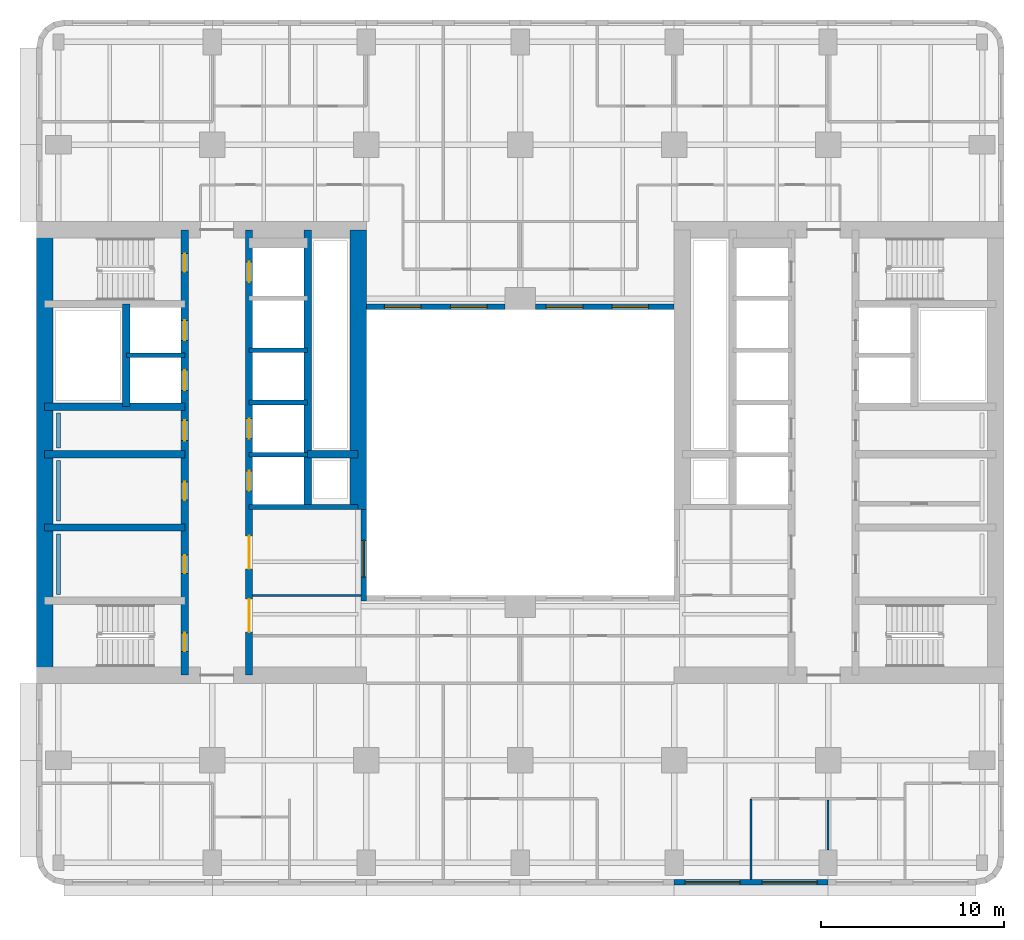
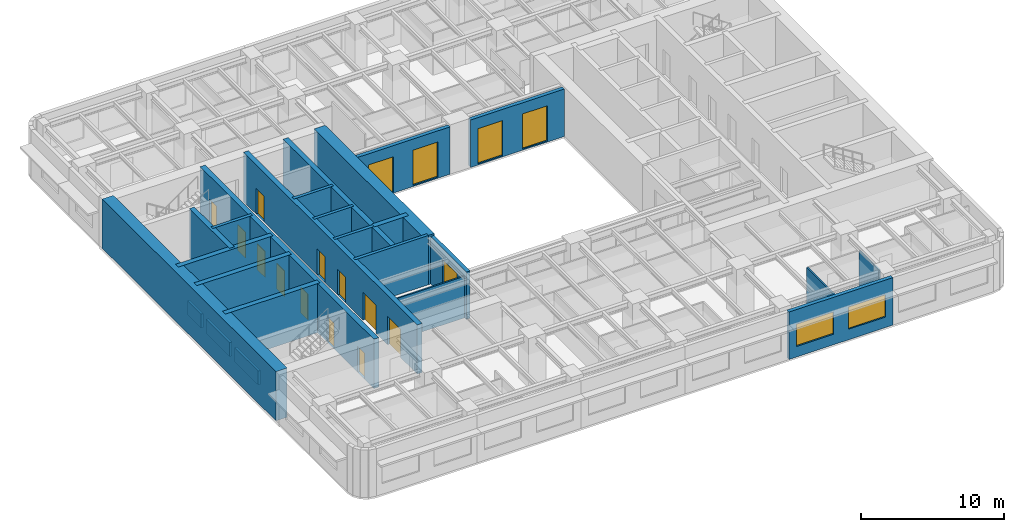
# One storey, part 4 of 11: 25 walls, 12 doors, 7 windows, 19 openings.
"""IFC4 building model written with IfcOpenShell, lengths in metres."""

from ifc_helpers import new_model, si_unit, direction, frame, frame_2d, origin, place, context, subcontext, project, spatial, rectangle, extrude, material, layer, layer_set, type_object, element, fill, save


model = new_model("IFC4")

# Units and contexts
model_context = context("Model", 3, precision=1e-05, world=origin(), true_north=direction((0.0, 1.0)))
body_context = subcontext(model_context, "Body", "Model", "MODEL_VIEW")
ifc_project = project(units=[si_unit("LENGTHUNIT", "METRE"), si_unit("AREAUNIT", "SQUARE_METRE"), si_unit("VOLUMEUNIT", "CUBIC_METRE"), si_unit("PLANEANGLEUNIT", "RADIAN"), si_unit("MASSUNIT", "GRAM", prefix="KILO")], contexts=[model_context])

# Site, building, storey
site_placement = place(None, origin())
site = spatial("IfcSite", under=ifc_project, at=site_placement, CompositionType="ELEMENT")
building_placement = place(site_placement, origin())
building = spatial("IfcBuilding", under=site, at=building_placement, Name="Claustro Exchange Tower", CompositionType="ELEMENT")
storey_placement = place(building_placement, frame((0.0, 0.0, 151.199951171875)))
storey = spatial("IfcBuildingStorey", under=building, at=storey_placement, Name="L34", CompositionType="ELEMENT", Elevation=151.199951171875)

# Walls
ifc_material_1 = material(Name="Laminated glass in aluminium frame", Category="aluminium")
ifc_layer_1 = layer(ifc_material_1, 0.1201171875)
ifc_layer_set_1 = layer_set([ifc_layer_1], Name="Laminated glass in aluminium frame")
wall_type_1 = type_object("IfcWallType", Name="P2 120 glazed partition", PredefinedType="PARTITIONING", material=ifc_layer_set_1)
wall_1_placement = place(storey_placement, frame((10.597900390625, 17.39990234375, 0.0), z_axis=(0.0, 0.0, 1.0), x_axis=(1.0, 0.0, 0.0)))
element("IfcWall", 1, at=wall_1_placement, inside=storey, type_object=wall_type_1, Name="Partition P2 L34", PredefinedType="PARTITIONING", context=body_context, shape_type="SweptSolid", body=[
    extrude(rectangle(XDim=5.904052734375, YDim=0.1201171875, at=frame_2d((2.9521484375, 0.0))), origin(), (0.0, 0.0, 1.0), 3.550048828125),
])
wall_2_placement = place(storey_placement, frame((37.800048828125, 1.89794921875, 0.0), z_axis=(0.0, 0.0, 1.0), x_axis=(0.0, 1.0, 0.0)))
element("IfcWall", 2, at=wall_2_placement, inside=storey, type_object=wall_type_1, Name="Partition P2 L34", PredefinedType="PARTITIONING", context=body_context, shape_type="SweptSolid", body=[
    extrude(rectangle(XDim=4.402099609375, YDim=0.1201171875, at=frame_2d((2.201171875, 0.0))), origin(), (0.0, 0.0, 1.0), 3.56005859375),
])
wall_3_placement = place(storey_placement, frame((42.0, 3.4990234375, 0.0), z_axis=(0.0, 0.0, 1.0), x_axis=(0.0, 1.0, 0.0)))
element("IfcWall", 3, at=wall_3_placement, inside=storey, type_object=wall_type_1, Name="Partition P2 L34", PredefinedType="PARTITIONING", context=body_context, shape_type="SweptSolid", body=[
    extrude(rectangle(XDim=2.742919921875, YDim=0.1201171875, at=frame_2d((1.37158203125, 0.0))), origin(), (0.0, 0.0, 1.0), 3.550048828125),
])

# Wall, openings, windows
ifc_material_2 = material(Name="Concrete HA-40 (C40/50), precast, white cement, acid-etched", Category="concrete")
ifc_layer_2 = layer(ifc_material_2, 0.300048828125)
ifc_layer_set_2 = layer_set([ifc_layer_2], Name="Concrete HA-40 (C40/50), precast, white cement, acid-etched")
wall_type_2 = type_object("IfcWallType", Name="PC1 300 precast concrete pier panel", PredefinedType="SOLIDWALL", material=ifc_layer_set_2)
wall_4_placement = place(storey_placement, frame((42.0, 1.75, 0.0), z_axis=(0.0, 0.0, 1.0), x_axis=(-1.0, 0.0, 0.0)))
wall_4 = element("IfcWall", 4, at=wall_4_placement, inside=storey, type_object=wall_type_2, Name="Precast pier panel PC1 L34", PredefinedType="SOLIDWALL", context=body_context, shape_type="SweptSolid", body=[
    extrude(rectangle(XDim=8.39990234375, YDim=0.300048828125, at=frame_2d((4.199951171875, 0.0))), origin(), (0.0, 0.0, 1.0), 4.050048828125),
])
opening_1_placement = place(wall_4_placement, frame((0.60009765625, 0.0, 0.89990234375)))
opening_1 = element("IfcOpeningElement", 5, at=opening_1_placement, cuts=wall_4, Name="Opening W1", PredefinedType="OPENING", context=body_context, shape_type="SweptSolid", body=[
    extrude(rectangle(XDim=3.0, YDim=1.89990234375, at=frame_2d((1.5, 0.949951171875))), frame((0.0, 0.159912109375, 0.0), z_axis=(0.0, -1.0, 0.0), x_axis=(1.0, 0.0, 0.0)), (0.0, 0.0, 1.0), 0.320068359375),
])
opening_2_placement = place(wall_4_placement, frame((4.800048828125, 0.0, 0.89990234375)))
opening_2 = element("IfcOpeningElement", 6, at=opening_2_placement, cuts=wall_4, Name="Opening W1", PredefinedType="OPENING", context=body_context, shape_type="SweptSolid", body=[
    extrude(rectangle(XDim=3.0, YDim=1.89990234375, at=frame_2d((1.5, 0.949951171875))), frame((0.0, 0.159912109375, 0.0), z_axis=(0.0, -1.0, 0.0), x_axis=(1.0, 0.0, 0.0)), (0.0, 0.0, 1.0), 0.320068359375),
])
ifc_material_3 = material(Name="Aluminium frame, clear double glazing", Category="aluminium")
window_type_1 = type_object("IfcWindowType", Name="W1 3000 x 1900 window", PartitioningType="SINGLE_PANEL", PredefinedType="WINDOW", material=ifc_material_3)
window_1_placement = place(opening_1_placement, origin())
window_1 = element("IfcWindow", 7, at=window_1_placement, inside=storey, type_object=window_type_1, Name="Window W1 L34", OverallHeight=1.89990234375, OverallWidth=3.0, PartitioningType="SINGLE_PANEL", PredefinedType="WINDOW", context=body_context, shape_type="SweptSolid", body=[
    extrude(rectangle(XDim=3.0, YDim=1.89990234375, at=frame_2d((1.5, 0.949951171875))), frame((0.0, 0.030029296875, 0.0), z_axis=(0.0, -1.0, 0.0), x_axis=(1.0, 0.0, 0.0)), (0.0, 0.0, 1.0), 0.06005859375),
])
fill(opening_1, window_1)
window_2_placement = place(opening_2_placement, origin())
window_2 = element("IfcWindow", 8, at=window_2_placement, inside=storey, type_object=window_type_1, Name="Window W1 L34", OverallHeight=1.89990234375, OverallWidth=3.0, PartitioningType="SINGLE_PANEL", PredefinedType="WINDOW", context=body_context, shape_type="SweptSolid", body=[
    extrude(rectangle(XDim=3.0, YDim=1.89990234375, at=frame_2d((1.5, 0.949951171875))), frame((0.0, 0.030029296875, 0.0), z_axis=(0.0, -1.0, 0.0), x_axis=(1.0, 0.0, 0.0)), (0.0, 0.0, 1.0), 0.06005859375),
])
fill(opening_2, window_2)

# Wall, opening, window
wall_5_placement = place(storey_placement, frame((16.64990234375, 17.10009765625, 0.0), z_axis=(0.0, 0.0, 1.0), x_axis=(0.0, 1.0, 0.0)))
wall_5 = element("IfcWall", 9, at=wall_5_placement, inside=storey, type_object=wall_type_2, Name="Precast pier panel PC1 L34", PredefinedType="SOLIDWALL", context=body_context, shape_type="SweptSolid", body=[
    extrude(rectangle(XDim=5.0, YDim=0.300048828125, at=frame_2d((2.5, 0.0))), origin(), (0.0, 0.0, 1.0), 4.050048828125),
])
opening_3_placement = place(wall_5_placement, frame((1.300048828125, 0.0, 0.10009765625)))
opening_3 = element("IfcOpeningElement", 10, at=opening_3_placement, cuts=wall_5, Name="Opening W-A", PredefinedType="OPENING", context=body_context, shape_type="SweptSolid", body=[
    extrude(rectangle(XDim=2.0, YDim=3.0, at=frame_2d((1.0, 1.5))), frame((0.0, 0.159912109375, 0.0), z_axis=(0.0, -1.0, 0.0), x_axis=(1.0, 0.0, 0.0)), (0.0, 0.0, 1.0), 0.320068359375),
])
ifc_material_4 = material(Name="Aluminium frame, clear double glazing", Category="aluminium")
window_type_2 = type_object("IfcWindowType", Name="W-A 2000 x 3000 arcade window", PartitioningType="SINGLE_PANEL", PredefinedType="WINDOW", material=ifc_material_4)
window_3_placement = place(opening_3_placement, origin())
window_3 = element("IfcWindow", 11, at=window_3_placement, inside=storey, type_object=window_type_2, Name="Window W-A L34", OverallHeight=3.0, OverallWidth=2.0, PartitioningType="SINGLE_PANEL", PredefinedType="WINDOW", context=body_context, shape_type="SweptSolid", body=[
    extrude(rectangle(XDim=2.0, YDim=3.0, at=frame_2d((1.0, 1.5))), frame((0.0, 0.030029296875, 0.0), z_axis=(0.0, -1.0, 0.0), x_axis=(1.0, 0.0, 0.0)), (0.0, 0.0, 1.0), 0.06005859375),
])
fill(opening_3, window_3)

# Wall, openings, windows
wall_6_placement = place(storey_placement, frame((16.800048828125, 33.14990234375, 0.0), z_axis=(0.0, 0.0, 1.0), x_axis=(1.0, 0.0, 0.0)))
wall_6 = element("IfcWall", 12, at=wall_6_placement, inside=storey, type_object=wall_type_2, Name="Precast pier panel PC1 L34", PredefinedType="SOLIDWALL", context=body_context, shape_type="SweptSolid", body=[
    extrude(rectangle(XDim=7.574951171875, YDim=0.300048828125, at=frame_2d((3.78759765625, 0.0))), origin(), (0.0, 0.0, 1.0), 4.050048828125),
])
opening_4_placement = place(wall_6_placement, frame((0.987548828125, 0.0, 0.10009765625)))
opening_4 = element("IfcOpeningElement", 13, at=opening_4_placement, cuts=wall_6, Name="Opening W-A", PredefinedType="OPENING", context=body_context, shape_type="SweptSolid", body=[
    extrude(rectangle(XDim=2.0, YDim=3.0, at=frame_2d((1.0, 1.5))), frame((0.0, 0.159912109375, 0.0), z_axis=(0.0, -1.0, 0.0), x_axis=(1.0, 0.0, 0.0)), (0.0, 0.0, 1.0), 0.320068359375),
])
opening_5_placement = place(wall_6_placement, frame((4.58740234375, 0.0, 0.10009765625)))
opening_5 = element("IfcOpeningElement", 14, at=opening_5_placement, cuts=wall_6, Name="Opening W-A", PredefinedType="OPENING", context=body_context, shape_type="SweptSolid", body=[
    extrude(rectangle(XDim=2.0, YDim=3.0, at=frame_2d((1.0, 1.5))), frame((0.0, 0.159912109375, 0.0), z_axis=(0.0, -1.0, 0.0), x_axis=(1.0, 0.0, 0.0)), (0.0, 0.0, 1.0), 0.320068359375),
])
window_4_placement = place(opening_4_placement, origin())
window_4 = element("IfcWindow", 15, at=window_4_placement, inside=storey, type_object=window_type_2, Name="Window W-A L34", OverallHeight=3.0, OverallWidth=2.0, PartitioningType="SINGLE_PANEL", PredefinedType="WINDOW", context=body_context, shape_type="SweptSolid", body=[
    extrude(rectangle(XDim=2.0, YDim=3.0, at=frame_2d((1.0, 1.5))), frame((0.0, 0.030029296875, 0.0), z_axis=(0.0, -1.0, 0.0), x_axis=(1.0, 0.0, 0.0)), (0.0, 0.0, 1.0), 0.06005859375),
])
fill(opening_4, window_4)
window_5_placement = place(opening_5_placement, origin())
window_5 = element("IfcWindow", 16, at=window_5_placement, inside=storey, type_object=window_type_2, Name="Window W-A L34", OverallHeight=3.0, OverallWidth=2.0, PartitioningType="SINGLE_PANEL", PredefinedType="WINDOW", context=body_context, shape_type="SweptSolid", body=[
    extrude(rectangle(XDim=2.0, YDim=3.0, at=frame_2d((1.0, 1.5))), frame((0.0, 0.030029296875, 0.0), z_axis=(0.0, -1.0, 0.0), x_axis=(1.0, 0.0, 0.0)), (0.0, 0.0, 1.0), 0.06005859375),
])
fill(opening_5, window_5)

wall_7_placement = place(storey_placement, frame((26.02490234375, 33.14990234375, 0.0), z_axis=(0.0, 0.0, 1.0), x_axis=(1.0, 0.0, 0.0)))
wall_7 = element("IfcWall", 17, at=wall_7_placement, inside=storey, type_object=wall_type_2, Name="Precast pier panel PC1 L34", PredefinedType="SOLIDWALL", context=body_context, shape_type="SweptSolid", body=[
    extrude(rectangle(XDim=7.5751953125, YDim=0.300048828125, at=frame_2d((3.78759765625, 0.0))), origin(), (0.0, 0.0, 1.0), 4.050048828125),
])
opening_6_placement = place(wall_7_placement, frame((0.58740234375, 0.0, 0.10009765625)))
opening_6 = element("IfcOpeningElement", 18, at=opening_6_placement, cuts=wall_7, Name="Opening W-A", PredefinedType="OPENING", context=body_context, shape_type="SweptSolid", body=[
    extrude(rectangle(XDim=2.0, YDim=3.0, at=frame_2d((1.0, 1.5))), frame((0.0, 0.159912109375, 0.0), z_axis=(0.0, -1.0, 0.0), x_axis=(1.0, 0.0, 0.0)), (0.0, 0.0, 1.0), 0.320068359375),
])
opening_7_placement = place(wall_7_placement, frame((4.1875, 0.0, 0.10009765625)))
opening_7 = element("IfcOpeningElement", 19, at=opening_7_placement, cuts=wall_7, Name="Opening W-A", PredefinedType="OPENING", context=body_context, shape_type="SweptSolid", body=[
    extrude(rectangle(XDim=2.0, YDim=3.0, at=frame_2d((1.0, 1.5))), frame((0.0, 0.159912109375, 0.0), z_axis=(0.0, -1.0, 0.0), x_axis=(1.0, 0.0, 0.0)), (0.0, 0.0, 1.0), 0.320068359375),
])
window_6_placement = place(opening_6_placement, origin())
window_6 = element("IfcWindow", 20, at=window_6_placement, inside=storey, type_object=window_type_2, Name="Window W-A L34", OverallHeight=3.0, OverallWidth=2.0, PartitioningType="SINGLE_PANEL", PredefinedType="WINDOW", context=body_context, shape_type="SweptSolid", body=[
    extrude(rectangle(XDim=2.0, YDim=3.0, at=frame_2d((1.0, 1.5))), frame((0.0, 0.030029296875, 0.0), z_axis=(0.0, -1.0, 0.0), x_axis=(1.0, 0.0, 0.0)), (0.0, 0.0, 1.0), 0.06005859375),
])
fill(opening_6, window_6)
window_7_placement = place(opening_7_placement, origin())
window_7 = element("IfcWindow", 21, at=window_7_placement, inside=storey, type_object=window_type_2, Name="Window W-A L34", OverallHeight=3.0, OverallWidth=2.0, PartitioningType="SINGLE_PANEL", PredefinedType="WINDOW", context=body_context, shape_type="SweptSolid", body=[
    extrude(rectangle(XDim=2.0, YDim=3.0, at=frame_2d((1.0, 1.5))), frame((0.0, 0.030029296875, 0.0), z_axis=(0.0, -1.0, 0.0), x_axis=(1.0, 0.0, 0.0)), (0.0, 0.0, 1.0), 0.06005859375),
])
fill(opening_7, window_7)

# Walls
ifc_material_5 = material(Name="Gypsum board on steel studs, tiled", Category="steel")
ifc_layer_3 = layer(ifc_material_5, 0.199951171875)
ifc_layer_set_3 = layer_set([ifc_layer_3], Name="Gypsum board on steel studs, tiled")
wall_type_3 = type_object("IfcWallType", Name="PW1 200 WC duct wall", PredefinedType="PLUMBINGWALL", material=ifc_layer_set_3)
for number, where, z_axis, x_axis, name in (
    (22, (0.0, 17.449951171875, 0.0), (0.0, 0.0, 1.0), (0.0, 1.0, 0.0), "WC duct wall PW1 L34"),
    (23, (0.0, 21.449951171875, 0.0), (0.0, 0.0, 1.0), (0.0, 1.0, 0.0), "WC duct wall PW1 L34"),
):
    element("IfcWall", number, at=place(storey_placement, frame(where, z_axis=z_axis, x_axis=x_axis)), inside=storey, type_object=wall_type_3, Name=name, PredefinedType="PLUMBINGWALL", context=body_context, shape_type="SweptSolid", body=[
        extrude(rectangle(XDim=3.300048828125, YDim=0.199951171875, at=frame_2d((1.64990234375, 0.0))), origin(), (0.0, 0.0, 1.0), 1.199951171875),
    ])
wall_8_placement = place(storey_placement, frame((0.0, 25.449951171875, 0.0), z_axis=(0.0, 0.0, 1.0), x_axis=(0.0, 1.0, 0.0)))
element("IfcWall", 24, at=wall_8_placement, inside=storey, type_object=wall_type_3, Name="WC duct wall PW1 L34", PredefinedType="PLUMBINGWALL", context=body_context, shape_type="SweptSolid", body=[
    extrude(rectangle(XDim=1.900146484375, YDim=0.199951171875, at=frame_2d((0.9501953125, 0.0))), origin(), (0.0, 0.0, 1.0), 1.199951171875),
])
ifc_material_6 = material(Name="Concrete HA-70 (C70/85)", Category="concrete")
ifc_layer_4 = layer(ifc_material_6, 0.89990234375)
ifc_layer_set_4 = layer_set([ifc_layer_4], Name="Concrete HA-70 (C70/85)")
wall_type_4 = type_object("IfcWallType", Name="SW1X 900 exposed core shear wall, board-marked face", PredefinedType="SHEAR", material=ifc_layer_set_4)
wall_9_placement = place(storey_placement, frame((-0.75, 13.050048828125, 0.0), z_axis=(0.0, 0.0, 1.0), x_axis=(0.0, 1.0, 0.0)))
element("IfcWall", 25, at=wall_9_placement, inside=storey, type_object=wall_type_4, Name="Core wall SW1X W core W face L34", PredefinedType="SHEAR", context=body_context, shape_type="SweptSolid", body=[
    extrude(rectangle(XDim=24.300048828125, YDim=0.89990234375, at=frame_2d((12.14990234375, 0.0))), origin(), (0.0, 0.0, 1.0), 4.199951171875),
])
wall_10_placement = place(storey_placement, frame((16.35009765625, 22.10009765625, 0.0), z_axis=(0.0, 0.0, 1.0), x_axis=(0.0, 1.0, 0.0)))
element("IfcWall", 26, at=wall_10_placement, inside=storey, type_object=wall_type_4, Name="Core wall SW1X W core E face L34", PredefinedType="SHEAR", context=body_context, shape_type="SweptSolid", body=[
    extrude(rectangle(XDim=15.25, YDim=0.89990234375, at=frame_2d((7.625, 0.0))), origin(), (0.0, 0.0, 1.0), 4.199951171875),
])

# Wall, openings, doors
ifc_material_7 = material(Name="Concrete HA-50 (C50/60)", Category="concrete")
ifc_layer_5 = layer(ifc_material_7, 0.39990234375)
ifc_layer_set_5 = layer_set([ifc_layer_5], Name="Concrete HA-50 (C50/60)")
wall_type_5 = type_object("IfcWallType", Name="SW4 400 internal core wall", PredefinedType="SHEAR", material=ifc_layer_set_5)
wall_11_placement = place(storey_placement, frame((6.89990234375, 13.050048828125, 0.0), z_axis=(0.0, 0.0, 1.0), x_axis=(0.0, 1.0, 0.0)))
wall_11 = element("IfcWall", 27, at=wall_11_placement, inside=storey, type_object=wall_type_5, Name="Internal core wall SW4 W core L34", PredefinedType="SHEAR", context=body_context, shape_type="SweptSolid", body=[
    extrude(rectangle(XDim=24.300048828125, YDim=0.39990234375, at=frame_2d((12.14990234375, 0.0))), origin(), (0.0, 0.0, 1.0), 4.199951171875),
])
opening_8_placement = place(wall_11_placement, frame((1.300048828125, 0.0, 0.0)))
opening_8 = element("IfcOpeningElement", 28, at=opening_8_placement, cuts=wall_11, Name="Opening D4", PredefinedType="OPENING", context=body_context, shape_type="SweptSolid", body=[
    extrude(rectangle(XDim=1.0, YDim=2.199951171875, at=frame_2d((0.5, 1.10009765625))), frame((0.0, 0.2099609375, 0.0), z_axis=(0.0, -1.0, 0.0), x_axis=(1.0, 0.0, 0.0)), (0.0, 0.0, 1.0), 0.419921875),
])
opening_9_placement = place(wall_11_placement, frame((22.0, 0.0, 0.0)))
opening_9 = element("IfcOpeningElement", 29, at=opening_9_placement, cuts=wall_11, Name="Opening D4", PredefinedType="OPENING", context=body_context, shape_type="SweptSolid", body=[
    extrude(rectangle(XDim=1.0, YDim=2.199951171875, at=frame_2d((0.5, 1.10009765625))), frame((0.0, 0.2099609375, 0.0), z_axis=(0.0, -1.0, 0.0), x_axis=(1.0, 0.0, 0.0)), (0.0, 0.0, 1.0), 0.419921875),
])
opening_10_placement = place(wall_11_placement, frame((5.550048828125, 0.0, 0.0)))
opening_10 = element("IfcOpeningElement", 30, at=opening_10_placement, cuts=wall_11, Name="Opening D1", PredefinedType="OPENING", context=body_context, shape_type="SweptSolid", body=[
    extrude(rectangle(XDim=1.0, YDim=2.199951171875, at=frame_2d((0.5, 1.10009765625))), frame((0.0, 0.2099609375, 0.0), z_axis=(0.0, -1.0, 0.0), x_axis=(1.0, 0.0, 0.0)), (0.0, 0.0, 1.0), 0.419921875),
])
opening_11_placement = place(wall_11_placement, frame((9.550048828125, 0.0, 0.0)))
opening_11 = element("IfcOpeningElement", 31, at=opening_11_placement, cuts=wall_11, Name="Opening D1", PredefinedType="OPENING", context=body_context, shape_type="SweptSolid", body=[
    extrude(rectangle(XDim=1.0, YDim=2.199951171875, at=frame_2d((0.5, 1.10009765625))), frame((0.0, 0.2099609375, 0.0), z_axis=(0.0, -1.0, 0.0), x_axis=(1.0, 0.0, 0.0)), (0.0, 0.0, 1.0), 0.419921875),
])
opening_12_placement = place(wall_11_placement, frame((12.800048828125, 0.0, 0.0)))
opening_12 = element("IfcOpeningElement", 32, at=opening_12_placement, cuts=wall_11, Name="Opening D10", PredefinedType="OPENING", context=body_context, shape_type="SweptSolid", body=[
    extrude(rectangle(XDim=1.10009765625, YDim=2.199951171875, at=frame_2d((0.550048828125, 1.10009765625))), frame((0.0, 0.2099609375, 0.0), z_axis=(0.0, -1.0, 0.0), x_axis=(1.0, 0.0, 0.0)), (0.0, 0.0, 1.0), 0.419921875),
])
opening_13_placement = place(wall_11_placement, frame((15.53759765625, 0.0, 0.0)))
opening_13 = element("IfcOpeningElement", 33, at=opening_13_placement, cuts=wall_11, Name="Opening LD", PredefinedType="OPENING", context=body_context, shape_type="SweptSolid", body=[
    extrude(rectangle(XDim=1.10009765625, YDim=2.199951171875, at=frame_2d((0.550048828125, 1.10009765625))), frame((0.0, 0.2099609375, 0.0), z_axis=(0.0, -1.0, 0.0), x_axis=(1.0, 0.0, 0.0)), (0.0, 0.0, 1.0), 0.419921875),
])
opening_14_placement = place(wall_11_placement, frame((18.262451171875, 0.0, 0.0)))
opening_14 = element("IfcOpeningElement", 34, at=opening_14_placement, cuts=wall_11, Name="Opening LD", PredefinedType="OPENING", context=body_context, shape_type="SweptSolid", body=[
    extrude(rectangle(XDim=1.10009765625, YDim=2.199951171875, at=frame_2d((0.550048828125, 1.10009765625))), frame((0.0, 0.2099609375, 0.0), z_axis=(0.0, -1.0, 0.0), x_axis=(1.0, 0.0, 0.0)), (0.0, 0.0, 1.0), 0.419921875),
])
ifc_material_8 = material(Name="Timber door, oak veneer", Category="wood")
door_type_1 = type_object("IfcDoorType", Name="D1 1000 x 2200 single door", OperationType="SINGLE_SWING_LEFT", PredefinedType="DOOR", material=ifc_material_8)
door_1_placement = place(opening_10_placement, origin())
door_1 = element("IfcDoor", 35, at=door_1_placement, inside=storey, type_object=door_type_1, Name="Door D1 L34", OperationType="SINGLE_SWING_RIGHT", OverallHeight=2.199951171875, OverallWidth=1.0, PredefinedType="DOOR", context=body_context, shape_type="SweptSolid", body=[
    extrude(rectangle(XDim=1.0, YDim=2.199951171875, at=frame_2d((0.5, 1.10009765625))), frame((0.0, 0.02490234375, 0.0), z_axis=(0.0, -1.0, 0.0), x_axis=(1.0, 0.0, 0.0)), (0.0, 0.0, 1.0), 0.050048828125),
])
fill(opening_10, door_1)
door_2_placement = place(opening_11_placement, origin())
door_2 = element("IfcDoor", 36, at=door_2_placement, inside=storey, type_object=door_type_1, Name="Door D1 L34", OperationType="SINGLE_SWING_RIGHT", OverallHeight=2.199951171875, OverallWidth=1.0, PredefinedType="DOOR", context=body_context, shape_type="SweptSolid", body=[
    extrude(rectangle(XDim=1.0, YDim=2.199951171875, at=frame_2d((0.5, 1.10009765625))), frame((0.0, 0.02490234375, 0.0), z_axis=(0.0, -1.0, 0.0), x_axis=(1.0, 0.0, 0.0)), (0.0, 0.0, 1.0), 0.050048828125),
])
fill(opening_11, door_2)
ifc_material_9 = material(Name="Timber door, oak veneer", Category="wood")
door_type_2 = type_object("IfcDoorType", Name="D10 1100 x 2200 accessible WC door", OperationType="SINGLE_SWING_LEFT", PredefinedType="DOOR", material=ifc_material_9)
door_3_placement = place(opening_12_placement, frame((1.10009765625, 0.0, 0.0), z_axis=(0.0, 0.0, 1.0), x_axis=(-1.0, 0.0, 0.0)))
door_3 = element("IfcDoor", 37, at=door_3_placement, inside=storey, type_object=door_type_2, Name="Accessible WC door D10 L34", OperationType="SINGLE_SWING_LEFT", OverallHeight=2.199951171875, OverallWidth=1.10009765625, PredefinedType="DOOR", context=body_context, shape_type="SweptSolid", body=[
    extrude(rectangle(XDim=1.10009765625, YDim=2.199951171875, at=frame_2d((0.550048828125, 1.10009765625))), frame((0.0, 0.02490234375, 0.0), z_axis=(0.0, -1.0, 0.0), x_axis=(1.0, 0.0, 0.0)), (0.0, 0.0, 1.0), 0.050048828125),
])
fill(opening_12, door_3)
ifc_material_10 = material(Name="Steel fire door, painted", Category="steel")
door_type_3 = type_object("IfcDoorType", Name="D4 1000 x 2200 fire-rated stair door", OperationType="SINGLE_SWING_LEFT", PredefinedType="DOOR", material=ifc_material_10)
door_4_placement = place(opening_8_placement, origin())
door_4 = element("IfcDoor", 38, at=door_4_placement, inside=storey, type_object=door_type_3, Name="Stair door D4 L34", OperationType="SINGLE_SWING_LEFT", OverallHeight=2.199951171875, OverallWidth=1.0, PredefinedType="DOOR", context=body_context, shape_type="SweptSolid", body=[
    extrude(rectangle(XDim=1.0, YDim=2.199951171875, at=frame_2d((0.5, 1.10009765625))), frame((0.0, 0.02490234375, 0.0), z_axis=(0.0, -1.0, 0.0), x_axis=(1.0, 0.0, 0.0)), (0.0, 0.0, 1.0), 0.050048828125),
])
fill(opening_8, door_4)
door_5_placement = place(opening_9_placement, origin())
door_5 = element("IfcDoor", 39, at=door_5_placement, inside=storey, type_object=door_type_3, Name="Stair door D4 L34", OperationType="SINGLE_SWING_RIGHT", OverallHeight=2.199951171875, OverallWidth=1.0, PredefinedType="DOOR", context=body_context, shape_type="SweptSolid", body=[
    extrude(rectangle(XDim=1.0, YDim=2.199951171875, at=frame_2d((0.5, 1.10009765625))), frame((0.0, 0.02490234375, 0.0), z_axis=(0.0, -1.0, 0.0), x_axis=(1.0, 0.0, 0.0)), (0.0, 0.0, 1.0), 0.050048828125),
])
fill(opening_9, door_5)
ifc_material_11 = material(Name="Stainless steel sliding door", Category="steel")
door_type_4 = type_object("IfcDoorType", Name="LD 1100 x 2200 lift landing door", OperationType="DOUBLE_DOOR_SLIDING", PredefinedType="DOOR", material=ifc_material_11)
door_6_placement = place(opening_13_placement, origin())
door_6 = element("IfcDoor", 40, at=door_6_placement, inside=storey, type_object=door_type_4, Name="Lift landing door LEW1 LD L34", OperationType="DOUBLE_DOOR_SLIDING", OverallHeight=2.199951171875, OverallWidth=1.10009765625, PredefinedType="DOOR", context=body_context, shape_type="SweptSolid", body=[
    extrude(rectangle(XDim=1.10009765625, YDim=2.199951171875, at=frame_2d((0.550048828125, 1.10009765625))), frame((0.0, 0.02490234375, 0.0), z_axis=(0.0, -1.0, 0.0), x_axis=(1.0, 0.0, 0.0)), (0.0, 0.0, 1.0), 0.050048828125),
])
fill(opening_13, door_6)
door_7_placement = place(opening_14_placement, origin())
door_7 = element("IfcDoor", 41, at=door_7_placement, inside=storey, type_object=door_type_4, Name="Lift landing door LEW2 LD L34", OperationType="DOUBLE_DOOR_SLIDING", OverallHeight=2.199951171875, OverallWidth=1.10009765625, PredefinedType="DOOR", context=body_context, shape_type="SweptSolid", body=[
    extrude(rectangle(XDim=1.10009765625, YDim=2.199951171875, at=frame_2d((0.550048828125, 1.10009765625))), frame((0.0, 0.02490234375, 0.0), z_axis=(0.0, -1.0, 0.0), x_axis=(1.0, 0.0, 0.0)), (0.0, 0.0, 1.0), 0.050048828125),
])
fill(opening_14, door_7)

wall_12_placement = place(storey_placement, frame((10.39990234375, 13.050048828125, 0.0), z_axis=(0.0, 0.0, 1.0), x_axis=(0.0, 1.0, 0.0)))
wall_12 = element("IfcWall", 42, at=wall_12_placement, inside=storey, type_object=wall_type_5, Name="Internal core wall SW4 W core L34", PredefinedType="SHEAR", context=body_context, shape_type="SweptSolid", body=[
    extrude(rectangle(XDim=24.300048828125, YDim=0.39990234375, at=frame_2d((12.14990234375, 0.0))), origin(), (0.0, 0.0, 1.0), 4.199951171875),
])
opening_15_placement = place(wall_12_placement, frame((10.050048828125, 0.0, 0.0)))
opening_15 = element("IfcOpeningElement", 43, at=opening_15_placement, cuts=wall_12, Name="Opening LD", PredefinedType="OPENING", context=body_context, shape_type="SweptSolid", body=[
    extrude(rectangle(XDim=1.10009765625, YDim=2.199951171875, at=frame_2d((0.550048828125, 1.10009765625))), frame((0.0, 0.2099609375, 0.0), z_axis=(0.0, -1.0, 0.0), x_axis=(1.0, 0.0, 0.0)), (0.0, 0.0, 1.0), 0.419921875),
])
opening_16_placement = place(wall_12_placement, frame((12.89990234375, 0.0, 0.0)))
opening_16 = element("IfcOpeningElement", 44, at=opening_16_placement, cuts=wall_12, Name="Opening LD", PredefinedType="OPENING", context=body_context, shape_type="SweptSolid", body=[
    extrude(rectangle(XDim=1.10009765625, YDim=2.199951171875, at=frame_2d((0.550048828125, 1.10009765625))), frame((0.0, 0.2099609375, 0.0), z_axis=(0.0, -1.0, 0.0), x_axis=(1.0, 0.0, 0.0)), (0.0, 0.0, 1.0), 0.419921875),
])
opening_17_placement = place(wall_12_placement, frame((21.449951171875, 0.0, 0.0)))
opening_17 = element("IfcOpeningElement", 45, at=opening_17_placement, cuts=wall_12, Name="Opening LD", PredefinedType="OPENING", context=body_context, shape_type="SweptSolid", body=[
    extrude(rectangle(XDim=1.10009765625, YDim=2.199951171875, at=frame_2d((0.550048828125, 1.10009765625))), frame((0.0, 0.2099609375, 0.0), z_axis=(0.0, -1.0, 0.0), x_axis=(1.0, 0.0, 0.0)), (0.0, 0.0, 1.0), 0.419921875),
])
opening_18_placement = place(wall_12_placement, frame((2.35009765625, 0.0, 0.0)))
opening_18 = element("IfcOpeningElement", 46, at=opening_18_placement, cuts=wall_12, Name="Opening D3", PredefinedType="OPENING", context=body_context, shape_type="SweptSolid", body=[
    extrude(rectangle(XDim=1.800048828125, YDim=2.39990234375, at=frame_2d((0.89990234375, 1.199951171875))), frame((0.0, 0.2099609375, 0.0), z_axis=(0.0, -1.0, 0.0), x_axis=(1.0, 0.0, 0.0)), (0.0, 0.0, 1.0), 0.419921875),
])
opening_19_placement = place(wall_12_placement, frame((5.800048828125, 0.0, 0.0)))
opening_19 = element("IfcOpeningElement", 47, at=opening_19_placement, cuts=wall_12, Name="Opening D3", PredefinedType="OPENING", context=body_context, shape_type="SweptSolid", body=[
    extrude(rectangle(XDim=1.800048828125, YDim=2.39990234375, at=frame_2d((0.89990234375, 1.199951171875))), frame((0.0, 0.2099609375, 0.0), z_axis=(0.0, -1.0, 0.0), x_axis=(1.0, 0.0, 0.0)), (0.0, 0.0, 1.0), 0.419921875),
])
ifc_material_12 = material(Name="Steel fire door, painted", Category="steel")
door_type_5 = type_object("IfcDoorType", Name="D3 1800 x 2400 fire-rated lobby double door", OperationType="DOUBLE_DOOR_SINGLE_SWING", PredefinedType="DOOR", material=ifc_material_12)
door_8_placement = place(opening_18_placement, origin())
door_8 = element("IfcDoor", 48, at=door_8_placement, inside=storey, type_object=door_type_5, Name="Core zone door D3 L34", OperationType="DOUBLE_DOOR_SINGLE_SWING", OverallHeight=2.39990234375, OverallWidth=1.800048828125, PredefinedType="DOOR", context=body_context, shape_type="SweptSolid", body=[
    extrude(rectangle(XDim=1.800048828125, YDim=2.39990234375, at=frame_2d((0.89990234375, 1.199951171875))), frame((0.0, 0.02490234375, 0.0), z_axis=(0.0, -1.0, 0.0), x_axis=(1.0, 0.0, 0.0)), (0.0, 0.0, 1.0), 0.050048828125),
])
fill(opening_18, door_8)
door_9_placement = place(opening_19_placement, frame((1.800048828125, 0.0, 0.0), z_axis=(0.0, 0.0, 1.0), x_axis=(-1.0, 0.0, 0.0)))
door_9 = element("IfcDoor", 49, at=door_9_placement, inside=storey, type_object=door_type_5, Name="Core zone door D3 L34", OperationType="DOUBLE_DOOR_SINGLE_SWING", OverallHeight=2.39990234375, OverallWidth=1.800048828125, PredefinedType="DOOR", context=body_context, shape_type="SweptSolid", body=[
    extrude(rectangle(XDim=1.800048828125, YDim=2.39990234375, at=frame_2d((0.89990234375, 1.199951171875))), frame((0.0, 0.02490234375, 0.0), z_axis=(0.0, -1.0, 0.0), x_axis=(1.0, 0.0, 0.0)), (0.0, 0.0, 1.0), 0.050048828125),
])
fill(opening_19, door_9)
door_10_placement = place(opening_15_placement, origin())
door_10 = element("IfcDoor", 50, at=door_10_placement, inside=storey, type_object=door_type_4, Name="Lift landing door LMW1 LD L34", OperationType="DOUBLE_DOOR_SLIDING", OverallHeight=2.199951171875, OverallWidth=1.10009765625, PredefinedType="DOOR", context=body_context, shape_type="SweptSolid", body=[
    extrude(rectangle(XDim=1.10009765625, YDim=2.199951171875, at=frame_2d((0.550048828125, 1.10009765625))), frame((0.0, 0.02490234375, 0.0), z_axis=(0.0, -1.0, 0.0), x_axis=(1.0, 0.0, 0.0)), (0.0, 0.0, 1.0), 0.050048828125),
])
fill(opening_15, door_10)
door_11_placement = place(opening_16_placement, origin())
door_11 = element("IfcDoor", 51, at=door_11_placement, inside=storey, type_object=door_type_4, Name="Lift landing door LMW2 LD L34", OperationType="DOUBLE_DOOR_SLIDING", OverallHeight=2.199951171875, OverallWidth=1.10009765625, PredefinedType="DOOR", context=body_context, shape_type="SweptSolid", body=[
    extrude(rectangle(XDim=1.10009765625, YDim=2.199951171875, at=frame_2d((0.550048828125, 1.10009765625))), frame((0.0, 0.02490234375, 0.0), z_axis=(0.0, -1.0, 0.0), x_axis=(1.0, 0.0, 0.0)), (0.0, 0.0, 1.0), 0.050048828125),
])
fill(opening_16, door_11)
door_12_placement = place(opening_17_placement, origin())
door_12 = element("IfcDoor", 52, at=door_12_placement, inside=storey, type_object=door_type_4, Name="Lift landing door LSW1 LD L34", OperationType="DOUBLE_DOOR_SLIDING", OverallHeight=2.199951171875, OverallWidth=1.10009765625, PredefinedType="DOOR", context=body_context, shape_type="SweptSolid", body=[
    extrude(rectangle(XDim=1.10009765625, YDim=2.199951171875, at=frame_2d((0.550048828125, 1.10009765625))), frame((0.0, 0.02490234375, 0.0), z_axis=(0.0, -1.0, 0.0), x_axis=(1.0, 0.0, 0.0)), (0.0, 0.0, 1.0), 0.050048828125),
])
fill(opening_17, door_12)

# Walls
wall_13_placement = place(storey_placement, frame((13.60009765625, 22.22509765625, 0.0), z_axis=(0.0, 0.0, 1.0), x_axis=(0.0, 1.0, 0.0)))
element("IfcWall", 53, at=wall_13_placement, inside=storey, type_object=wall_type_5, Name="Internal core wall SW4 W core L34", PredefinedType="SHEAR", context=body_context, shape_type="SweptSolid", body=[
    extrude(rectangle(XDim=15.125, YDim=0.39990234375, at=frame_2d((7.5625, 0.0))), origin(), (0.0, 0.0, 1.0), 4.199951171875),
])
for number, where, z_axis, x_axis, name in (
    (54, (-0.75, 21.10009765625, 0.0), (0.0, 0.0, 1.0), (1.0, 0.0, 0.0), "Internal core wall SW4 W core L34"),
    (55, (-0.75, 25.10009765625, 0.0), (0.0, 0.0, 1.0), (1.0, 0.0, 0.0), "Internal core wall SW4 W core L34"),
    (56, (-0.75, 27.699951171875, 0.0), (0.0, 0.0, 1.0), (1.0, 0.0, 0.0), "Internal core wall SW4 W core L34"),
):
    element("IfcWall", number, at=place(storey_placement, frame(where, z_axis=z_axis, x_axis=x_axis)), inside=storey, type_object=wall_type_5, Name=name, PredefinedType="SHEAR", context=body_context, shape_type="SweptSolid", body=[
        extrude(rectangle(XDim=7.64990234375, YDim=0.39990234375, at=frame_2d((3.824951171875, 0.0))), origin(), (0.0, 0.0, 1.0), 4.199951171875),
    ])
wall_14_placement = place(storey_placement, frame((3.699951171875, 27.699951171875, 0.0), z_axis=(0.0, 0.0, 1.0), x_axis=(0.0, 1.0, 0.0)))
element("IfcWall", 57, at=wall_14_placement, inside=storey, type_object=wall_type_5, Name="Internal core wall SW4 W core L34", PredefinedType="SHEAR", context=body_context, shape_type="SweptSolid", body=[
    extrude(rectangle(XDim=5.60009765625, YDim=0.39990234375, at=frame_2d((2.800048828125, 0.0))), origin(), (0.0, 0.0, 1.0), 4.199951171875),
])
wall_15_placement = place(storey_placement, frame((13.60009765625, 25.10009765625, 0.0), z_axis=(0.0, 0.0, 1.0), x_axis=(1.0, 0.0, 0.0)))
element("IfcWall", 58, at=wall_15_placement, inside=storey, type_object=wall_type_5, Name="Internal core wall SW4 W core L34", PredefinedType="SHEAR", context=body_context, shape_type="SweptSolid", body=[
    extrude(rectangle(XDim=2.75, YDim=0.39990234375, at=frame_2d((1.375, 0.0))), origin(), (0.0, 0.0, 1.0), 4.199951171875),
])
ifc_material_13 = material(Name="Concrete HA-50 (C50/60)", Category="concrete")
ifc_layer_6 = layer(ifc_material_13, 0.25)
ifc_layer_set_6 = layer_set([ifc_layer_6], Name="Concrete HA-50 (C50/60)")
wall_type_6 = type_object("IfcWallType", Name="SW5 250 lift shaft divider wall", PredefinedType="SHEAR", material=ifc_layer_set_6)
wall_16_placement = place(storey_placement, frame((3.699951171875, 30.5, 0.0), z_axis=(0.0, 0.0, 1.0), x_axis=(1.0, 0.0, 0.0)))
element("IfcWall", 59, at=wall_16_placement, inside=storey, type_object=wall_type_6, Name="Lift shaft wall W core L34", PredefinedType="SHEAR", context=body_context, shape_type="SweptSolid", body=[
    extrude(rectangle(XDim=3.199951171875, YDim=0.25, at=frame_2d((1.60009765625, 0.0))), origin(), (0.0, 0.0, 1.0), 4.199951171875),
])
wall_17_placement = place(storey_placement, frame((10.39990234375, 22.22509765625, 0.0), z_axis=(0.0, 0.0, 1.0), x_axis=(1.0, 0.0, 0.0)))
element("IfcWall", 60, at=wall_17_placement, inside=storey, type_object=wall_type_6, Name="Core step wall W core L34", PredefinedType="SHEAR", context=body_context, shape_type="SweptSolid", body=[
    extrude(rectangle(XDim=5.9501953125, YDim=0.25, at=frame_2d((2.97509765625, 0.0))), origin(), (0.0, 0.0, 1.0), 4.199951171875),
])
for number, where, z_axis, x_axis, name in (
    (61, (10.39990234375, 25.074951171875, 0.0), (0.0, 0.0, 1.0), (1.0, 0.0, 0.0), "Lift shaft wall W core L34"),
    (62, (10.39990234375, 27.925048828125, 0.0), (0.0, 0.0, 1.0), (1.0, 0.0, 0.0), "Lift shaft wall W core L34"),
    (63, (10.39990234375, 30.77490234375, 0.0), (0.0, 0.0, 1.0), (1.0, 0.0, 0.0), "Lift shaft wall W core L34"),
):
    element("IfcWall", number, at=place(storey_placement, frame(where, z_axis=z_axis, x_axis=x_axis)), inside=storey, type_object=wall_type_6, Name=name, PredefinedType="SHEAR", context=body_context, shape_type="SweptSolid", body=[
        extrude(rectangle(XDim=3.2001953125, YDim=0.25, at=frame_2d((1.60009765625, 0.0))), origin(), (0.0, 0.0, 1.0), 4.199951171875),
    ])

save(model, "model.ifc")
